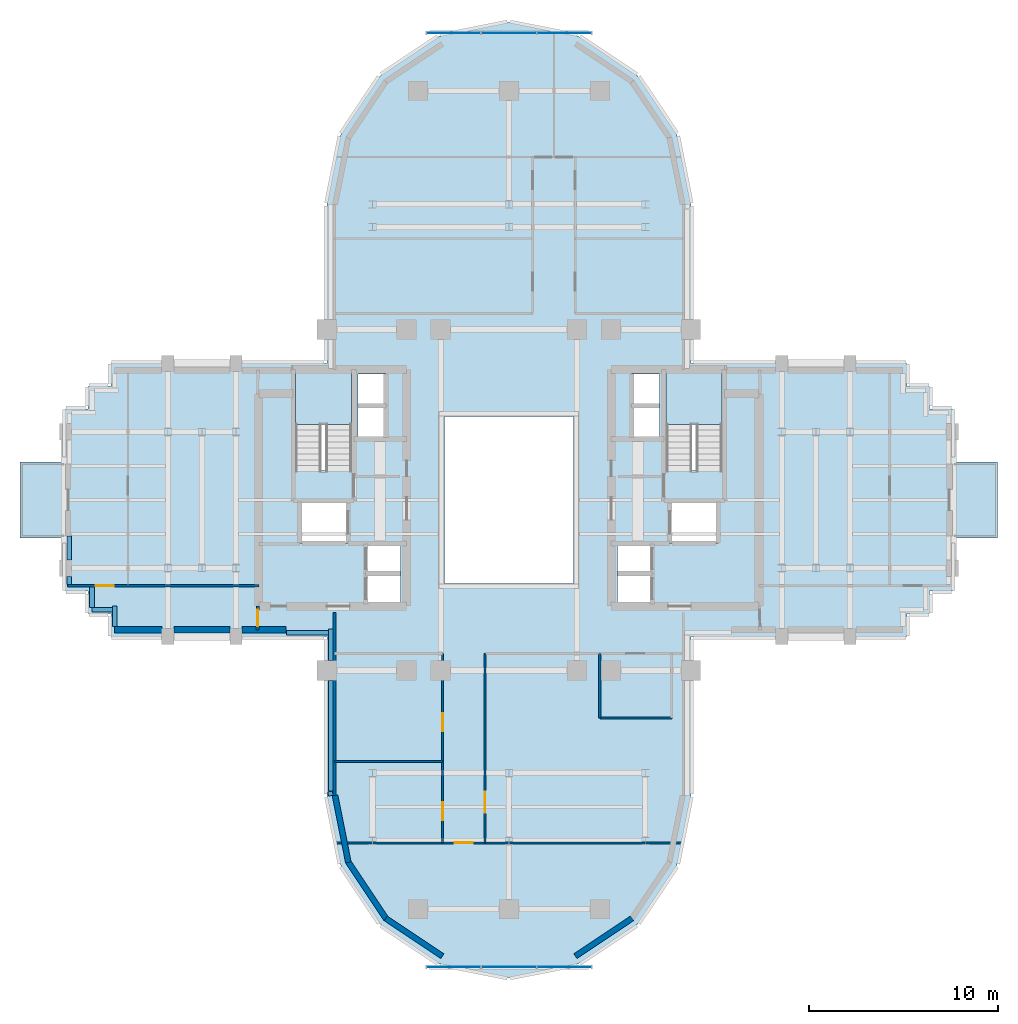
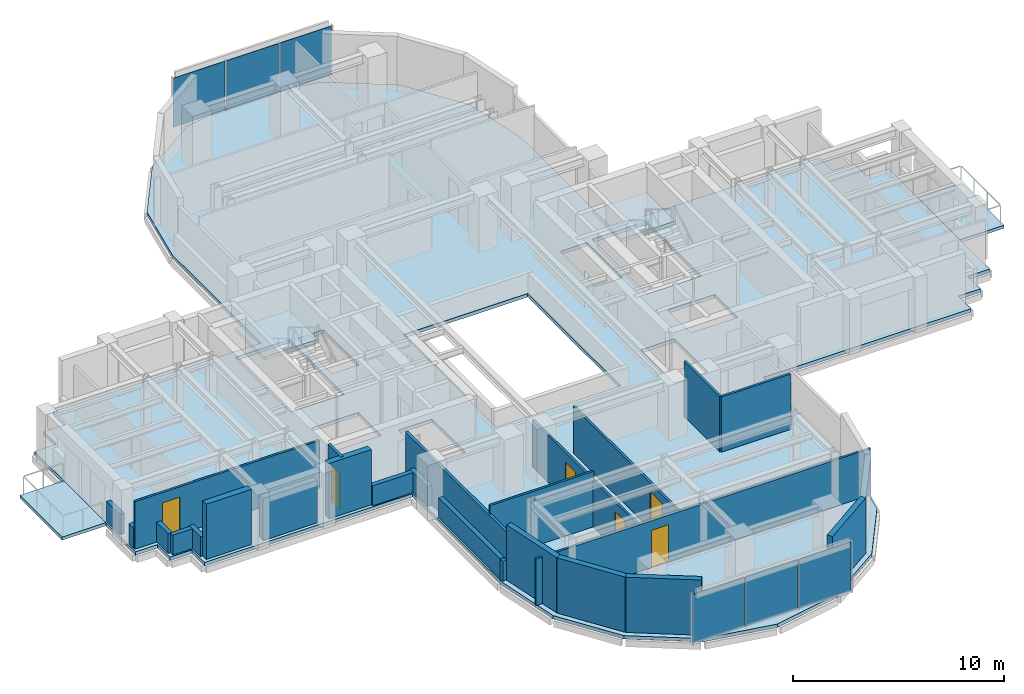
# One storey, part 6 of 13: 25 walls, 6 doors, 6 plates, 5 slabs, 6 openings, 4 elements without a shape of their own.
"""IFC4 building model written with IfcOpenShell, lengths in metres."""

from ifc_helpers import new_model, si_unit, direction, frame, frame_2d, origin, origin_2d, place, context, subcontext, project, spatial, polyline, rectangle, outline, extrude, source, transform, mapped, material, layer, layer_set, type_object, element, fill, aggregate, save


model = new_model("IFC4")

# Units and contexts
model_context = context("Model", 3, precision=1e-05, world=origin(), true_north=direction((0.0, 1.0)))
body_context = subcontext(model_context, "Body", "Model", "MODEL_VIEW")
ifc_project = project(units=[si_unit("LENGTHUNIT", "METRE"), si_unit("AREAUNIT", "SQUARE_METRE"), si_unit("VOLUMEUNIT", "CUBIC_METRE"), si_unit("PLANEANGLEUNIT", "RADIAN"), si_unit("MASSUNIT", "GRAM", prefix="KILO")], contexts=[model_context])

# Site, building, storey
site_placement = place(None, origin())
site = spatial("IfcSite", under=ifc_project, at=site_placement, CompositionType="ELEMENT")
building_placement = place(site_placement, origin())
building = spatial("IfcBuilding", under=site, at=building_placement, Name="Keilestroom Media Tower", CompositionType="ELEMENT")
storey_placement = place(building_placement, frame((0.0, 0.0, 107.39990234375)))
storey = spatial("IfcBuildingStorey", under=building, at=storey_placement, Name="L28", CompositionType="ELEMENT", Elevation=107.39990234375)

# Slabs
ifc_material_1 = material(Name="Concrete C50/60", Category="concrete")
ifc_layer_1 = layer(ifc_material_1, 0.199951171875)
ifc_layer_set_1 = layer_set([ifc_layer_1], Name="Concrete C50/60")
slab_type_1 = type_object("IfcSlabType", Name="Composite-Floor-Slab-200", PredefinedType="FLOOR", material=ifc_layer_set_1)
slab_1_placement = place(storey_placement, frame((0.0, 0.0, -0.199951171875)))
element("IfcSlab", 1, at=slab_1_placement, inside=storey, type_object=slab_type_1, Name="L28 Structural Composite Floor Slab", PredefinedType="FLOOR", context=body_context, shape_type="SweptSolid", body=[
    extrude(outline(polyline([(23.39990234375, -4.800048828125), (23.39990234375, 4.800048828125), (22.199951171875, 4.800048828125), (22.199951171875, 6.0), (21.0, 6.0), (21.0, 7.199951171875), (9.60009765625, 7.199951171875), (9.60009765625, 9.60009765625), (9.60009765625, 15.60009765625), (8.869140625, 19.273681640625), (6.7880859375, 22.38818359375), (3.673828125, 24.46923828125), (0.0, 25.199951171875), (-3.673828125, 24.46923828125), (-6.7880859375, 22.38818359375), (-8.869140625, 19.273681640625), (-9.60009765625, 15.60009765625), (-9.60009765625, 9.60009765625), (-9.60009765625, 7.199951171875), (-21.0, 7.199951171875), (-21.0, 6.0), (-22.199951171875, 6.0), (-22.199951171875, 4.800048828125), (-23.39990234375, 4.800048828125), (-23.39990234375, -4.800048828125), (-22.199951171875, -4.800048828125), (-22.199951171875, -6.0), (-21.0, -6.0), (-21.0, -7.199951171875), (-9.60009765625, -7.199951171875), (-9.60009765625, -9.60009765625), (-9.60009765625, -15.60009765625), (-8.869140625, -19.273681640625), (-6.7880859375, -22.38818359375), (-3.673828125, -24.46923828125), (0.0, -25.199951171875), (3.673828125, -24.46923828125), (6.7880859375, -22.38818359375), (8.869140625, -19.273681640625), (9.60009765625, -15.60009765625), (9.60009765625, -9.60009765625), (9.60009765625, -7.199951171875), (21.0, -7.199951171875), (21.0, -6.0), (22.199951171875, -6.0), (22.199951171875, -4.800048828125), (23.39990234375, -4.800048828125)]), holes=[polyline([(-11.260009765625, 1.544921875), (-11.260009765625, 6.760009765625), (-8.300048828125, 6.760009765625), (-8.300048828125, 1.544921875), (-11.260009765625, 1.544921875)]), polyline([(-11.050048828125, -2.280029296875), (-11.050048828125, -0.10009765625), (-8.47998046875, -0.10009765625), (-8.47998046875, -2.280029296875), (-11.050048828125, -2.280029296875)]), polyline([(-7.949951171875, 3.300048828125), (-7.949951171875, 6.64990234375), (-6.47998046875, 6.64990234375), (-6.47998046875, 3.300048828125), (-7.949951171875, 3.300048828125)]), polyline([(-7.56005859375, -2.320068359375), (-5.719970703125, -2.320068359375), (-5.719970703125, -5.47998046875), (-7.56005859375, -5.47998046875), (-7.56005859375, -2.320068359375)]), polyline([(3.39990234375, -4.39990234375), (-3.39990234375, -4.39990234375), (-3.39990234375, 4.39990234375), (3.39990234375, 4.39990234375), (3.39990234375, -4.39990234375)]), polyline([(7.56005859375, -2.320068359375), (7.56005859375, -5.47998046875), (5.719970703125, -5.47998046875), (5.719970703125, -2.320068359375), (7.56005859375, -2.320068359375)]), polyline([(6.47998046875, 3.300048828125), (6.47998046875, 6.64990234375), (7.949951171875, 6.64990234375), (7.949951171875, 3.300048828125), (6.47998046875, 3.300048828125)]), polyline([(8.300048828125, 1.544921875), (8.300048828125, 6.760009765625), (11.260009765625, 6.760009765625), (11.260009765625, 1.544921875), (8.300048828125, 1.544921875)]), polyline([(8.47998046875, -2.280029296875), (8.47998046875, -0.10009765625), (11.050048828125, -0.10009765625), (11.050048828125, -2.280029296875), (8.47998046875, -2.280029296875)])]), origin(), (0.0, 0.0, 1.0), 0.199951171875),
])
ifc_material_2 = material(Name="Concrete C45/55", Category="concrete")
ifc_layer_2 = layer(ifc_material_2, 0.179931640625)
ifc_layer_set_2 = layer_set([ifc_layer_2], Name="Concrete C45/55")
slab_type_2 = type_object("IfcSlabType", Name="Exterior-Terrace-And-Sky-Garden-Slab-180", PredefinedType="FLOOR", material=ifc_layer_set_2)
slab_2_placement = place(storey_placement, frame((0.0, 0.0, -0.179931640625)))
element("IfcSlab", 2, at=slab_2_placement, inside=storey, type_object=slab_type_2, Name="L28 Winter-Garden Balcony Slab L28-BAL-W", PredefinedType="FLOOR", context=body_context, shape_type="SweptSolid", body=[
    extrude(outline(polyline([(-25.800048828125, -2.0), (-23.39990234375, -2.0), (-23.39990234375, 2.0), (-25.800048828125, 2.0), (-25.800048828125, -2.0)])), origin(), (0.0, 0.0, 1.0), 0.179931640625),
])
slab_3_placement = place(storey_placement, frame((0.0, 0.0, -0.179931640625)))
element("IfcSlab", 3, at=slab_3_placement, inside=storey, type_object=slab_type_2, Name="L28 Winter-Garden Balcony Slab L28-BAL-E", PredefinedType="FLOOR", context=body_context, shape_type="SweptSolid", body=[
    extrude(outline(polyline([(23.39990234375, -2.0), (25.800048828125, -2.0), (25.800048828125, 2.0), (23.39990234375, 2.0), (23.39990234375, -2.0)])), origin(), (0.0, 0.0, 1.0), 0.179931640625),
])

# Stair, slab
stair_type = type_object("IfcStairType", Name="Enclosed-Dog-Leg-Stair-ST-CORE", PredefinedType="HALF_TURN_STAIR", material=ifc_material_2)
stair_1_placement = place(storey_placement, origin())
stair_1 = element("IfcStair", 4, at=stair_1_placement, inside=storey, type_object=stair_type, Name="L28 West Core Escape Stair ST-1", PredefinedType="HALF_TURN_STAIR")
ifc_layer_3 = layer(ifc_material_2, 0.199951171875)
ifc_layer_set_3 = layer_set([ifc_layer_3], Name="Concrete C45/55")
slab_type_3 = type_object("IfcSlabType", Name="Stair-Intermediate-And-Top-Landing-Slab-200", PredefinedType="LANDING", material=ifc_layer_set_3)
slab_4_placement = place(storey_placement, frame((0.0, 0.0, 1.5)))
slab_4 = element("IfcSlab", 5, at=slab_4_placement, type_object=slab_type_3, Name="ST-1 landing 1", PredefinedType="LANDING", context=body_context, shape_type="SweptSolid", body=[
    extrude(outline(polyline([(-8.300048828125, 3.99609375), (-8.300048828125, 6.760009765625), (-11.260009765625, 6.760009765625), (-11.260009765625, 3.99609375), (-8.300048828125, 3.99609375)])), origin(), (0.0, 0.0, 1.0), 0.2001953125),
])
aggregate(stair_1, [slab_4])

stair_2_placement = place(storey_placement, origin())
stair_2 = element("IfcStair", 6, at=stair_2_placement, inside=storey, type_object=stair_type, Name="L28 East Core Escape Stair ST-2", PredefinedType="HALF_TURN_STAIR")
slab_5_placement = place(storey_placement, frame((0.0, 0.0, 1.5)))
slab_5 = element("IfcSlab", 7, at=slab_5_placement, type_object=slab_type_3, Name="ST-2 landing 1", PredefinedType="LANDING", context=body_context, shape_type="SweptSolid", body=[
    extrude(outline(polyline([(11.260009765625, 3.99609375), (11.260009765625, 6.760009765625), (8.300048828125, 6.760009765625), (8.300048828125, 3.99609375), (11.260009765625, 3.99609375)])), origin(), (0.0, 0.0, 1.0), 0.2001953125),
])
aggregate(stair_2, [slab_5])

# Curtain wall, plates
ifc_material_3 = material(Name="Anodised Aluminium Alloy", Category="aluminium")
curtain_wall_type = type_object("IfcCurtainWallType", Name="Unitised-Curtain-Wall-CW-6", PredefinedType="NOTDEFINED", material=ifc_material_3)
curtain_wall_1_placement = place(storey_placement, origin())
curtain_wall_1 = element("IfcCurtainWall", 8, at=curtain_wall_1_placement, inside=storey, type_object=curtain_wall_type, Name="L28 Curtain Wall CW-6 CW-L28-LN-1", PredefinedType="NOTDEFINED")
ifc_material_4 = material(Name="Curved-Facet Triple Glazed Unit", Category="glass")
ifc_layer_4 = layer(ifc_material_4, 0.033935546875)
ifc_layer_set_4 = layer_set([ifc_layer_4], Name="Curved-Facet Triple Glazed Unit")
plate_type = type_object("IfcPlateType", Name="Insulated-Curtain-Wall-Glazing-Panel-CW-6", PredefinedType="CURTAIN_PANEL", material=ifc_layer_set_4)
shared_shape_1 = source(origin(), body_context, "Body", "SweptSolid", [
    extrude(rectangle(XDim=2.84375, YDim=0.033935546875, at=origin_2d()), origin(), (0.0, 0.0, 1.0), 2.833984375),
])
plate_1_placement = place(storey_placement, frame((-2.9169921875, 24.64990234375, 0.072998046875), z_axis=(0.0, 0.0, 1.0), x_axis=(1.0, 0.0, 0.0)))
plate_1 = element("IfcPlate", 9, at=plate_1_placement, type_object=plate_type, Name="CW-6 Unitised Glazing 00", PredefinedType="CURTAIN_PANEL", context=body_context, shape_type="MappedRepresentation", body=[
    mapped(shared_shape_1, transform((0.0, 0.0, 0.0), x_axis=(1.0, 0.0, 0.0), y_axis=(0.0, 1.0, 0.0), z_axis=(0.0, 0.0, 1.0), scale=1.0)),
])
plate_2_placement = place(storey_placement, frame((2.9169921875, 24.64990234375, 0.072998046875), z_axis=(0.0, 0.0, 1.0), x_axis=(1.0, 0.0, 0.0)))
plate_2 = element("IfcPlate", 10, at=plate_2_placement, type_object=plate_type, Name="CW-6 Unitised Glazing 02", PredefinedType="CURTAIN_PANEL", context=body_context, shape_type="MappedRepresentation", body=[
    mapped(shared_shape_1, transform((0.0, 0.0, 0.0), x_axis=(1.0, 0.0, 0.0), y_axis=(0.0, 1.0, 0.0), z_axis=(0.0, 0.0, 1.0), scale=1.0)),
])

curtain_wall_2_placement = place(storey_placement, origin())
curtain_wall_2 = element("IfcCurtainWall", 11, at=curtain_wall_2_placement, inside=storey, type_object=curtain_wall_type, Name="L28 Curtain Wall CW-6 CW-L28-LS-1", PredefinedType="NOTDEFINED")
plate_3_placement = place(storey_placement, frame((-2.9169921875, -24.64990234375, 0.072998046875), z_axis=(0.0, 0.0, 1.0), x_axis=(1.0, 0.0, 0.0)))
plate_3 = element("IfcPlate", 12, at=plate_3_placement, type_object=plate_type, Name="CW-6 Unitised Glazing 00", PredefinedType="CURTAIN_PANEL", context=body_context, shape_type="MappedRepresentation", body=[
    mapped(shared_shape_1, transform((0.0, 0.0, 0.0), x_axis=(1.0, 0.0, 0.0), y_axis=(0.0, 1.0, 0.0), z_axis=(0.0, 0.0, 1.0), scale=1.0)),
])
plate_4_placement = place(storey_placement, frame((2.9169921875, -24.64990234375, 0.072998046875), z_axis=(0.0, 0.0, 1.0), x_axis=(1.0, 0.0, 0.0)))
plate_4 = element("IfcPlate", 13, at=plate_4_placement, type_object=plate_type, Name="CW-6 Unitised Glazing 02", PredefinedType="CURTAIN_PANEL", context=body_context, shape_type="MappedRepresentation", body=[
    mapped(shared_shape_1, transform((0.0, 0.0, 0.0), x_axis=(1.0, 0.0, 0.0), y_axis=(0.0, 1.0, 0.0), z_axis=(0.0, 0.0, 1.0), scale=1.0)),
])

# Plate
shared_shape_2 = source(origin(), body_context, "Body", "SweptSolid", [
    extrude(rectangle(XDim=2.876220703125, YDim=0.033935546875, at=origin_2d()), origin(), (0.0, 0.0, 1.0), 2.833984375),
])
plate_5_placement = place(storey_placement, frame((0.0, 24.64990234375, 0.072998046875), z_axis=(0.0, 0.0, 1.0), x_axis=(1.0, 0.0, 0.0)))
plate_5 = element("IfcPlate", 14, at=plate_5_placement, type_object=plate_type, Name="CW-6 Unitised Glazing 01", PredefinedType="CURTAIN_PANEL", context=body_context, shape_type="MappedRepresentation", body=[
    mapped(shared_shape_2, transform((0.0, 0.0, 0.0), x_axis=(1.0, 0.0, 0.0), y_axis=(0.0, 1.0, 0.0), z_axis=(0.0, 0.0, 1.0), scale=1.0)),
])

aggregate(curtain_wall_1, [plate_1, plate_5, plate_2])

plate_6_placement = place(storey_placement, frame((0.0, -24.64990234375, 0.072998046875), z_axis=(0.0, 0.0, 1.0), x_axis=(1.0, 0.0, 0.0)))
plate_6 = element("IfcPlate", 15, at=plate_6_placement, type_object=plate_type, Name="CW-6 Unitised Glazing 01", PredefinedType="CURTAIN_PANEL", context=body_context, shape_type="MappedRepresentation", body=[
    mapped(shared_shape_2, transform((0.0, 0.0, 0.0), x_axis=(1.0, 0.0, 0.0), y_axis=(0.0, 1.0, 0.0), z_axis=(0.0, 0.0, 1.0), scale=1.0)),
])

aggregate(curtain_wall_2, [plate_3, plate_6, plate_4])

# Walls
ifc_material_5 = material(Name="Precast concrete C40/50", Category="concrete")
ifc_layer_5 = layer(ifc_material_5, 0.300048828125)
ifc_layer_set_5 = layer_set([ifc_layer_5], Name="Precast concrete C40/50")
wall_type_1 = type_object("IfcWallType", Name="Exterior-Masonry-Spandrel-Wall-300", PredefinedType="SOLIDWALL", material=ifc_layer_set_5)
for number, where, z_axis, x_axis, name in (
    (16, (-9.1748046875, -15.585205078125, 0.0), (0.0, 0.0, 1.0), (0.195114232679, -0.980780523974, 0.0), "L28 Lobe Facet Precast Frame Wall 07"),
    (17, (-8.48193359375, -19.097412109375, 0.0), (0.0, 0.0, 1.0), (0.555574187116, -0.831466970246, 0.0), "L28 Lobe Facet Precast Frame Wall 08"),
):
    element("IfcWall", number, at=place(storey_placement, frame(where, z_axis=z_axis, x_axis=x_axis)), inside=storey, type_object=wall_type_1, Name=name, PredefinedType="SOLIDWALL", context=body_context, shape_type="SweptSolid", body=[
        extrude(rectangle(XDim=3.608642578125, YDim=0.300048828125, at=frame_2d((1.80419921875, 0.0))), origin(), (0.0, 0.0, 1.0), 3.2001953125),
    ])
for number, where, z_axis, x_axis, name in (
    (18, (-6.497802734375, -22.0771484375, 0.0), (0.0, 0.0, 1.0), (0.8314749531, -0.555562239868, 0.0), "L28 Lobe Facet Precast Frame Wall 09"),
    (19, (3.510009765625, -24.073486328125, 0.0), (0.0, 0.0, 1.0), (0.8314749531, 0.555562239868, 0.0), "L28 Lobe Facet Precast Frame Wall 10"),
):
    element("IfcWall", number, at=place(storey_placement, frame(where, z_axis=z_axis, x_axis=x_axis)), inside=storey, type_object=wall_type_1, Name=name, PredefinedType="SOLIDWALL", context=body_context, shape_type="SweptSolid", body=[
        extrude(rectangle(XDim=3.59326171875, YDim=0.300048828125, at=frame_2d((1.796630859375, 0.0))), origin(), (0.0, 0.0, 1.0), 3.2001953125),
    ])
ifc_layer_6 = layer(ifc_material_5, 0.340087890625)
ifc_layer_set_6 = layer_set([ifc_layer_6], Name="Precast concrete C40/50")
wall_type_2 = type_object("IfcWallType", Name="Exterior-Masonry-Spandrel-Wall-340", PredefinedType="SOLIDWALL", material=ifc_layer_set_6)
wall_1_placement = place(storey_placement, frame((-20.800048828125, -6.85009765625, 0.0), z_axis=(0.0, 0.0, 1.0), x_axis=(1.0, 0.0, 0.0)))
element("IfcWall", 20, at=wall_1_placement, inside=storey, type_object=wall_type_2, Name="L28 Flank Masonry Wall EWL-L28-SW-1", PredefinedType="SOLIDWALL", context=body_context, shape_type="SweptSolid", body=[
    extrude(rectangle(XDim=2.483154296875, YDim=0.340087890625, at=frame_2d((1.24169921875, 0.0))), origin(), (0.0, 0.0, 1.0), 3.2001953125),
])
wall_2_placement = place(storey_placement, frame((-17.68310546875, -6.85009765625, 0.0), z_axis=(0.0, 0.0, 1.0), x_axis=(1.0, 0.0, 0.0)))
element("IfcWall", 21, at=wall_2_placement, inside=storey, type_object=wall_type_2, Name="L28 Flank Masonry Wall EWL-L28-SW-2", PredefinedType="SOLIDWALL", context=body_context, shape_type="SweptSolid", body=[
    extrude(rectangle(XDim=2.966064453125, YDim=0.340087890625, at=frame_2d((1.48291015625, 0.0))), origin(), (0.0, 0.0, 1.0), 2.4501953125),
])
wall_3_placement = place(storey_placement, frame((-14.0830078125, -6.85009765625, 0.0), z_axis=(0.0, 0.0, 1.0), x_axis=(1.0, 0.0, 0.0)))
element("IfcWall", 22, at=wall_3_placement, inside=storey, type_object=wall_type_2, Name="L28 Flank Masonry Wall EWL-L28-SW-3", PredefinedType="SOLIDWALL", context=body_context, shape_type="SweptSolid", body=[
    extrude(rectangle(XDim=2.3330078125, YDim=0.340087890625, at=frame_2d((1.16650390625, 0.0))), origin(), (0.0, 0.0, 1.0), 3.2001953125),
])

# Wall, openings, doors
ifc_material_6 = material(Name="Gypsum Plasterboard & Steel Stud", Category="steel")
ifc_layer_7 = layer(ifc_material_6, 0.1201171875)
ifc_layer_set_7 = layer_set([ifc_layer_7], Name="Gypsum Plasterboard & Steel Stud")
wall_type_3 = type_object("IfcWallType", Name="Interior-Partition-Wall-120", PredefinedType="PARTITIONING", material=ifc_layer_set_7)
wall_4_placement = place(storey_placement, frame((-3.5, -18.10009765625, 0.0), z_axis=(0.0, 0.0, 1.0), x_axis=(0.0, 1.0, 0.0)))
wall_4 = element("IfcWall", 23, at=wall_4_placement, inside=storey, type_object=wall_type_3, Name="L28 Interior Wall WP-L28-SL-SPW", PredefinedType="PARTITIONING", context=body_context, shape_type="SweptSolid", body=[
    extrude(rectangle(XDim=10.0, YDim=0.1201171875, at=frame_2d((5.0, 0.0))), origin(), (0.0, 0.0, 1.0), 2.7001953125),
])
opening_1_placement = place(wall_4_placement, frame((5.89990234375, 0.0, 0.0)))
opening_1 = element("IfcOpeningElement", 24, at=opening_1_placement, cuts=wall_4, Name="Opening DI-03", PredefinedType="OPENING", context=body_context, shape_type="SweptSolid", body=[
    extrude(rectangle(XDim=0.949951171875, YDim=2.14990234375, at=frame_2d((0.47509765625, 1.074951171875))), frame((0.0, 0.070068359375, 0.0), z_axis=(0.0, -1.0, 0.0), x_axis=(1.0, 0.0, 0.0)), (0.0, 0.0, 1.0), 0.14013671875),
])
opening_2_placement = place(wall_4_placement, frame((1.199951171875, 0.0, 0.0)))
opening_2 = element("IfcOpeningElement", 25, at=opening_2_placement, cuts=wall_4, Name="Opening DI-03", PredefinedType="OPENING", context=body_context, shape_type="SweptSolid", body=[
    extrude(rectangle(XDim=0.949951171875, YDim=2.14990234375, at=frame_2d((0.47509765625, 1.074951171875))), frame((0.0, 0.070068359375, 0.0), z_axis=(0.0, -1.0, 0.0), x_axis=(1.0, 0.0, 0.0)), (0.0, 0.0, 1.0), 0.14013671875),
])
ifc_material_7 = material(Name="Lacquered European Oak Leaf", Category="wood")
door_type_1 = type_object("IfcDoorType", Name="Interior-Room-And-Suite-Door-DI-03", OperationType="NOTDEFINED", PredefinedType="DOOR", material=ifc_material_7)
shared_shape_3 = source(origin(), body_context, "Body", "SweptSolid", [
    extrude(rectangle(XDim=0.949951171875, YDim=2.14990234375, at=frame_2d((0.47509765625, 1.074951171875))), frame((0.0, 0.02490234375, 0.0), z_axis=(0.0, -1.0, 0.0), x_axis=(1.0, 0.0, 0.0)), (0.0, 0.0, 1.0), 0.050048828125),
])
door_1_placement = place(opening_1_placement, origin())
door_1 = element("IfcDoor", 26, at=door_1_placement, inside=storey, type_object=door_type_1, Name="L28 Interior Door DI-L28-DSL-W1", OperationType="SINGLE_SWING_LEFT", OverallHeight=2.14990234375, OverallWidth=0.949951171875, PredefinedType="DOOR", context=body_context, shape_type="MappedRepresentation", body=[
    mapped(shared_shape_3, transform((0.0, 0.0, 0.0), x_axis=(1.0, 0.0, 0.0), y_axis=(0.0, 1.0, 0.0), z_axis=(0.0, 0.0, 1.0), scale=1.0)),
])
fill(opening_1, door_1)
door_2_placement = place(opening_2_placement, origin())
door_2 = element("IfcDoor", 27, at=door_2_placement, inside=storey, type_object=door_type_1, Name="L28 Interior Door DI-L28-DSL-W2", OperationType="SINGLE_SWING_RIGHT", OverallHeight=2.14990234375, OverallWidth=0.949951171875, PredefinedType="DOOR", context=body_context, shape_type="MappedRepresentation", body=[
    mapped(shared_shape_3, transform((0.0, 0.0, 0.0), x_axis=(1.0, 0.0, 0.0), y_axis=(0.0, 1.0, 0.0), z_axis=(0.0, 0.0, 1.0), scale=1.0)),
])
fill(opening_2, door_2)

# Wall, opening, door
wall_5_placement = place(storey_placement, frame((-1.260009765625, -18.10009765625, 0.0), z_axis=(0.0, 0.0, 1.0), x_axis=(0.0, 1.0, 0.0)))
wall_5 = element("IfcWall", 28, at=wall_5_placement, inside=storey, type_object=wall_type_3, Name="L28 Interior Wall WP-L28-SL-SPE", PredefinedType="PARTITIONING", context=body_context, shape_type="SweptSolid", body=[
    extrude(rectangle(XDim=10.0, YDim=0.1201171875, at=frame_2d((5.0, 0.0))), origin(), (0.0, 0.0, 1.0), 2.7001953125),
])
opening_3_placement = place(wall_5_placement, frame((1.60009765625, 0.0, 0.0)))
opening_3 = element("IfcOpeningElement", 29, at=opening_3_placement, cuts=wall_5, Name="Opening DI-04", PredefinedType="OPENING", context=body_context, shape_type="SweptSolid", body=[
    extrude(rectangle(XDim=1.10009765625, YDim=2.199951171875, at=frame_2d((0.550048828125, 1.10009765625))), frame((0.0, 0.070068359375, 0.0), z_axis=(0.0, -1.0, 0.0), x_axis=(1.0, 0.0, 0.0)), (0.0, 0.0, 1.0), 0.14013671875),
])
ifc_material_8 = material(Name="Acoustic Glazed Aluminium Leaf", Category="aluminium")
door_type_2 = type_object("IfcDoorType", Name="Interior-Room-And-Suite-Door-DI-04", OperationType="NOTDEFINED", PredefinedType="DOOR", material=ifc_material_8)
shared_shape_4 = source(origin(), body_context, "Body", "SweptSolid", [
    extrude(rectangle(XDim=1.10009765625, YDim=2.199951171875, at=frame_2d((0.550048828125, 1.10009765625))), frame((0.0, 0.02490234375, 0.0), z_axis=(0.0, -1.0, 0.0), x_axis=(1.0, 0.0, 0.0)), (0.0, 0.0, 1.0), 0.050048828125),
])
door_3_placement = place(opening_3_placement, origin())
door_3 = element("IfcDoor", 30, at=door_3_placement, inside=storey, type_object=door_type_2, Name="L28 Interior Door DI-L28-DSL-E1", OperationType="SINGLE_SWING_RIGHT", OverallHeight=2.199951171875, OverallWidth=1.10009765625, PredefinedType="DOOR", context=body_context, shape_type="MappedRepresentation", body=[
    mapped(shared_shape_4, transform((0.0, 0.0, 0.0), x_axis=(1.0, 0.0, 0.0), y_axis=(0.0, 1.0, 0.0), z_axis=(0.0, 0.0, 1.0), scale=1.0)),
])
fill(opening_3, door_3)

wall_6_placement = place(storey_placement, frame((-9.159912109375, -18.10009765625, 0.0), z_axis=(0.0, 0.0, 1.0), x_axis=(1.0, 0.0, 0.0)))
wall_6 = element("IfcWall", 31, at=wall_6_placement, inside=storey, type_object=wall_type_3, Name="L28 Interior Wall WP-L28-SL-STIPW", PredefinedType="PARTITIONING", context=body_context, shape_type="SweptSolid", body=[
    extrude(rectangle(XDim=18.31982421875, YDim=0.1201171875, at=frame_2d((9.159912109375, 0.0))), origin(), (0.0, 0.0, 1.0), 2.7001953125),
])
opening_4_placement = place(wall_6_placement, frame((6.31005859375, 0.0, 0.0)))
opening_4 = element("IfcOpeningElement", 32, at=opening_4_placement, cuts=wall_6, Name="Opening DI-03", PredefinedType="OPENING", context=body_context, shape_type="SweptSolid", body=[
    extrude(rectangle(XDim=0.949951171875, YDim=2.14990234375, at=frame_2d((0.47509765625, 1.074951171875))), frame((0.0, 0.070068359375, 0.0), z_axis=(0.0, -1.0, 0.0), x_axis=(1.0, 0.0, 0.0)), (0.0, 0.0, 1.0), 0.14013671875),
])
door_4_placement = place(opening_4_placement, origin())
door_4 = element("IfcDoor", 33, at=door_4_placement, inside=storey, type_object=door_type_1, Name="L28 Interior Door DI-L28-DSL-TIP", OperationType="SINGLE_SWING_LEFT", OverallHeight=2.14990234375, OverallWidth=0.949951171875, PredefinedType="DOOR", context=body_context, shape_type="MappedRepresentation", body=[
    mapped(shared_shape_3, transform((0.0, 0.0, 0.0), x_axis=(1.0, 0.0, 0.0), y_axis=(0.0, 1.0, 0.0), z_axis=(0.0, 0.0, 1.0), scale=1.0)),
])
fill(opening_4, door_4)

# Walls
wall_7_placement = place(storey_placement, frame((4.800048828125, -11.5, 0.0), z_axis=(0.0, 0.0, 1.0), x_axis=(1.0, 0.0, 0.0)))
element("IfcWall", 34, at=wall_7_placement, inside=storey, type_object=wall_type_3, Name="L28 Interior Wall WP-L28-SL-WC-S", PredefinedType="PARTITIONING", context=body_context, shape_type="SweptSolid", body=[
    extrude(rectangle(XDim=3.800048828125, YDim=0.1201171875, at=frame_2d((1.89990234375, 0.0))), origin(), (0.0, 0.0, 1.0), 3.2001953125),
])
wall_8_placement = place(storey_placement, frame((4.800048828125, -11.5, 0.0), z_axis=(0.0, 0.0, 1.0), x_axis=(0.0, 1.0, 0.0)))
element("IfcWall", 35, at=wall_8_placement, inside=storey, type_object=wall_type_3, Name="L28 Interior Wall WP-L28-SL-WC-W", PredefinedType="PARTITIONING", context=body_context, shape_type="SweptSolid", body=[
    extrude(rectangle(XDim=3.39990234375, YDim=0.1201171875, at=frame_2d((1.699951171875, 0.0))), origin(), (0.0, 0.0, 1.0), 3.2001953125),
])
wall_9_placement = place(storey_placement, frame((-9.199951171875, -13.800048828125, 0.0), z_axis=(0.0, 0.0, 1.0), x_axis=(1.0, 0.0, 0.0)))
element("IfcWall", 36, at=wall_9_placement, inside=storey, type_object=wall_type_3, Name="L28 Interior Wall WP-L28-SL-HWM", PredefinedType="PARTITIONING", context=body_context, shape_type="SweptSolid", body=[
    extrude(rectangle(XDim=5.699951171875, YDim=0.1201171875, at=frame_2d((2.85009765625, 0.0))), origin(), (0.0, 0.0, 1.0), 3.2001953125),
])

# Wall, opening, door
wall_10_placement = place(storey_placement, frame((-23.300048828125, -4.530029296875, 0.0), z_axis=(0.0, 0.0, 1.0), x_axis=(1.0, 0.0, 0.0)))
wall_10 = element("IfcWall", 37, at=wall_10_placement, inside=storey, type_object=wall_type_3, Name="L28 Interior Wall WP-L28-WA-CN", PredefinedType="PARTITIONING", context=body_context, shape_type="SweptSolid", body=[
    extrude(rectangle(XDim=10.10009765625, YDim=0.1201171875, at=frame_2d((5.050048828125, 0.0))), origin(), (0.0, 0.0, 1.0), 2.75),
])
opening_5_placement = place(wall_10_placement, frame((1.5, 0.0, 0.0)))
opening_5 = element("IfcOpeningElement", 38, at=opening_5_placement, cuts=wall_10, Name="Opening DI-03", PredefinedType="OPENING", context=body_context, shape_type="SweptSolid", body=[
    extrude(rectangle(XDim=0.949951171875, YDim=2.14990234375, at=frame_2d((0.47509765625, 1.074951171875))), frame((0.0, 0.070068359375, 0.0), z_axis=(0.0, -1.0, 0.0), x_axis=(1.0, 0.0, 0.0)), (0.0, 0.0, 1.0), 0.14013671875),
])
door_5_placement = place(opening_5_placement, origin())
door_5 = element("IfcDoor", 39, at=door_5_placement, inside=storey, type_object=door_type_1, Name="L28 Interior Door DI-L28-DWA-RN1", OperationType="SINGLE_SWING_LEFT", OverallHeight=2.14990234375, OverallWidth=0.949951171875, PredefinedType="DOOR", context=body_context, shape_type="MappedRepresentation", body=[
    mapped(shared_shape_3, transform((0.0, 0.0, 0.0), x_axis=(1.0, 0.0, 0.0), y_axis=(0.0, 1.0, 0.0), z_axis=(0.0, 0.0, 1.0), scale=1.0)),
])
fill(opening_5, door_5)

# Wall
ifc_layer_8 = layer(ifc_material_6, 0.14990234375)
ifc_layer_set_8 = layer_set([ifc_layer_8], Name="Gypsum Plasterboard & Steel Stud")
wall_type_4 = type_object("IfcWallType", Name="Interior-Partition-Wall-150", PredefinedType="PARTITIONING", material=ifc_layer_set_8)
wall_11_placement = place(storey_placement, frame((-9.199951171875, -15.679931640625, 0.0), z_axis=(0.0, 0.0, 1.0), x_axis=(0.0, 1.0, 0.0)))
element("IfcWall", 40, at=wall_11_placement, inside=storey, type_object=wall_type_4, Name="L28 Interior Wall WP-L28-SL-CHKW", PredefinedType="PARTITIONING", context=body_context, shape_type="SweptSolid", body=[
    extrude(rectangle(XDim=9.739990234375, YDim=0.14990234375, at=frame_2d((4.8701171875, 0.0))), origin(), (0.0, 0.0, 1.0), 2.7001953125),
])

# Wall, opening, door
wall_12_placement = place(storey_placement, frame((-13.260009765625, -6.85009765625, 0.0), z_axis=(0.0, 0.0, 1.0), x_axis=(0.016013571389, 0.999871774545, 0.0)))
wall_12 = element("IfcWall", 41, at=wall_12_placement, inside=storey, type_object=wall_type_4, Name="L28 Interior Wall WP-L28-WA-ENTS", PredefinedType="PARTITIONING", context=body_context, shape_type="SweptSolid", body=[
    extrude(rectangle(XDim=1.250244140625, YDim=0.14990234375, at=frame_2d((0.625, 0.0))), origin(), (0.0, 0.0, 1.0), 3.2001953125),
])
opening_6_placement = place(wall_12_placement, frame((0.199951171875, 0.0, 0.0)))
opening_6 = element("IfcOpeningElement", 42, at=opening_6_placement, cuts=wall_12, Name="Opening DI-05", PredefinedType="OPENING", context=body_context, shape_type="SweptSolid", body=[
    extrude(rectangle(XDim=0.85009765625, YDim=2.10009765625, at=frame_2d((0.425048828125, 1.050048828125))), frame((0.0, 0.0849609375, 0.0), z_axis=(0.0, -1.0, 0.0), x_axis=(1.0, 0.0, 0.0)), (0.0, 0.0, 1.0), 0.169921875),
])
ifc_material_9 = material(Name="Moisture-Resistant Oak Leaf", Category="wood")
door_type_3 = type_object("IfcDoorType", Name="Interior-En-Suite-And-Cupboard-Door-DI-05", OperationType="NOTDEFINED", PredefinedType="DOOR", material=ifc_material_9)
shared_shape_5 = source(origin(), body_context, "Body", "SweptSolid", [
    extrude(rectangle(XDim=0.85009765625, YDim=2.10009765625, at=frame_2d((0.425048828125, 1.050048828125))), frame((0.0, 0.02490234375, 0.0), z_axis=(0.0, -1.0, 0.0), x_axis=(1.0, 0.0, 0.0)), (0.0, 0.0, 1.0), 0.050048828125),
])
door_6_placement = place(opening_6_placement, origin())
door_6 = element("IfcDoor", 43, at=door_6_placement, inside=storey, type_object=door_type_3, Name="L28 Interior Door DI-L28-DWA-ENTS", OperationType="SINGLE_SWING_LEFT", OverallHeight=2.10009765625, OverallWidth=0.85009765625, PredefinedType="DOOR", context=body_context, shape_type="MappedRepresentation", body=[
    mapped(shared_shape_5, transform((0.0, 0.0, 0.0), x_axis=(1.0, 0.0, 0.0), y_axis=(0.0, 1.0, 0.0), z_axis=(0.0, 0.0, 1.0), scale=1.0)),
])
fill(opening_6, door_6)

# Walls
ifc_layer_9 = layer(ifc_material_5, 0.239990234375)
ifc_layer_set_9 = layer_set([ifc_layer_9], Name="Precast concrete C40/50")
wall_type_5 = type_object("IfcWallType", Name="Roof-And-Terrace-Parapet-Wall-240", PredefinedType="PARAPET", material=ifc_layer_set_9)
wall_13_placement = place(storey_placement, frame((-9.395263671875, -15.604248046875, 0.0), z_axis=(0.0, 0.0, 1.0), x_axis=(-0.194652052864, 0.980872355771, 0.0)))
element("IfcWall", 44, at=wall_13_placement, inside=storey, type_object=wall_type_5, Name="L28 Perimeter Edge Parapet Wall 07", PredefinedType="PARAPET", context=body_context, shape_type="SweptSolid", body=[
    extrude(rectangle(XDim=0.224609375, YDim=0.239990234375, at=frame_2d((0.1123046875, 0.0))), origin(), (0.0, 0.0, 1.0), 1.150146484375),
])
wall_14_placement = place(storey_placement, frame((-9.39990234375, -15.357666015625, 0.0), z_axis=(0.0, 0.0, 1.0), x_axis=(0.0, 1.0, 0.0)))
element("IfcWall", 45, at=wall_14_placement, inside=storey, type_object=wall_type_5, Name="L28 Perimeter Edge Parapet Wall 08", PredefinedType="PARAPET", context=body_context, shape_type="SweptSolid", body=[
    extrude(rectangle(XDim=5.82958984375, YDim=0.239990234375, at=frame_2d((2.914794921875, 0.0))), origin(), (0.0, 0.0, 1.0), 1.150146484375),
])
wall_15_placement = place(storey_placement, frame((-9.39990234375, -8.471923828125, 0.0), z_axis=(0.0, 0.0, 1.0), x_axis=(0.0, 1.0, 0.0)))
element("IfcWall", 46, at=wall_15_placement, inside=storey, type_object=wall_type_5, Name="L28 Perimeter Edge Parapet Wall 09", PredefinedType="PARAPET", context=body_context, shape_type="SweptSolid", body=[
    extrude(rectangle(XDim=1.671875, YDim=0.239990234375, at=frame_2d((0.8359375, 0.0))), origin(), (0.0, 0.0, 1.0), 1.150146484375),
])
wall_16_placement = place(storey_placement, frame((-9.52294921875, -7.0, 0.0), z_axis=(0.0, 0.0, 1.0), x_axis=(-1.0, 0.0, 0.0)))
element("IfcWall", 47, at=wall_16_placement, inside=storey, type_object=wall_type_5, Name="L28 Perimeter Edge Parapet Wall 10", PredefinedType="PARAPET", context=body_context, shape_type="SweptSolid", body=[
    extrude(rectangle(XDim=2.22412109375, YDim=0.239990234375, at=frame_2d((1.112060546875, 0.0))), origin(), (0.0, 0.0, 1.0), 1.150146484375),
])
for number, where, z_axis, x_axis, name in (
    (48, (-20.800048828125, -6.677001953125, 0.0), (0.0, 0.0, 1.0), (0.0, 1.0, 0.0), "L28 Perimeter Edge Parapet Wall 11"),
    (49, (-20.923095703125, -5.800048828125, 0.0), (0.0, 0.0, 1.0), (-1.0, 0.0, 0.0), "L28 Perimeter Edge Parapet Wall 12"),
):
    element("IfcWall", number, at=place(storey_placement, frame(where, z_axis=z_axis, x_axis=x_axis)), inside=storey, type_object=wall_type_5, Name=name, PredefinedType="PARAPET", context=body_context, shape_type="SweptSolid", body=[
        extrude(rectangle(XDim=1.076904296875, YDim=0.239990234375, at=frame_2d((0.53857421875, 0.0))), origin(), (0.0, 0.0, 1.0), 1.150146484375),
    ])
wall_17_placement = place(storey_placement, frame((-22.0, -5.677001953125, 0.0), z_axis=(0.0, 0.0, 1.0), x_axis=(0.0, 1.0, 0.0)))
element("IfcWall", 50, at=wall_17_placement, inside=storey, type_object=wall_type_5, Name="L28 Perimeter Edge Parapet Wall 13", PredefinedType="PARAPET", context=body_context, shape_type="SweptSolid", body=[
    extrude(rectangle(XDim=1.083984375, YDim=0.239990234375, at=frame_2d((0.5419921875, 0.0))), origin(), (0.0, 0.0, 1.0), 1.150146484375),
])
wall_18_placement = place(storey_placement, frame((-23.199951171875, -4.467041015625, 0.0), z_axis=(0.0, 0.0, 1.0), x_axis=(0.0, 1.0, 0.0)))
element("IfcWall", 51, at=wall_18_placement, inside=storey, type_object=wall_type_5, Name="L28 Perimeter Edge Parapet Wall 14", PredefinedType="PARAPET", context=body_context, shape_type="SweptSolid", body=[
    extrude(rectangle(XDim=0.43896484375, YDim=0.239990234375, at=frame_2d((0.219482421875, 0.0))), origin(), (0.0, 0.0, 1.0), 1.150146484375),
])
wall_19_placement = place(storey_placement, frame((-23.199951171875, -3.172119140625, 0.0), z_axis=(0.0, 0.0, 1.0), x_axis=(0.0, 1.0, 0.0)))
element("IfcWall", 52, at=wall_19_placement, inside=storey, type_object=wall_type_5, Name="L28 Perimeter Edge Parapet Wall 15", PredefinedType="PARAPET", context=body_context, shape_type="SweptSolid", body=[
    extrude(rectangle(XDim=1.26904296875, YDim=0.239990234375, at=frame_2d((0.634521484375, 0.0))), origin(), (0.0, 0.0, 1.0), 1.150146484375),
])

save(model, "model.ifc")
